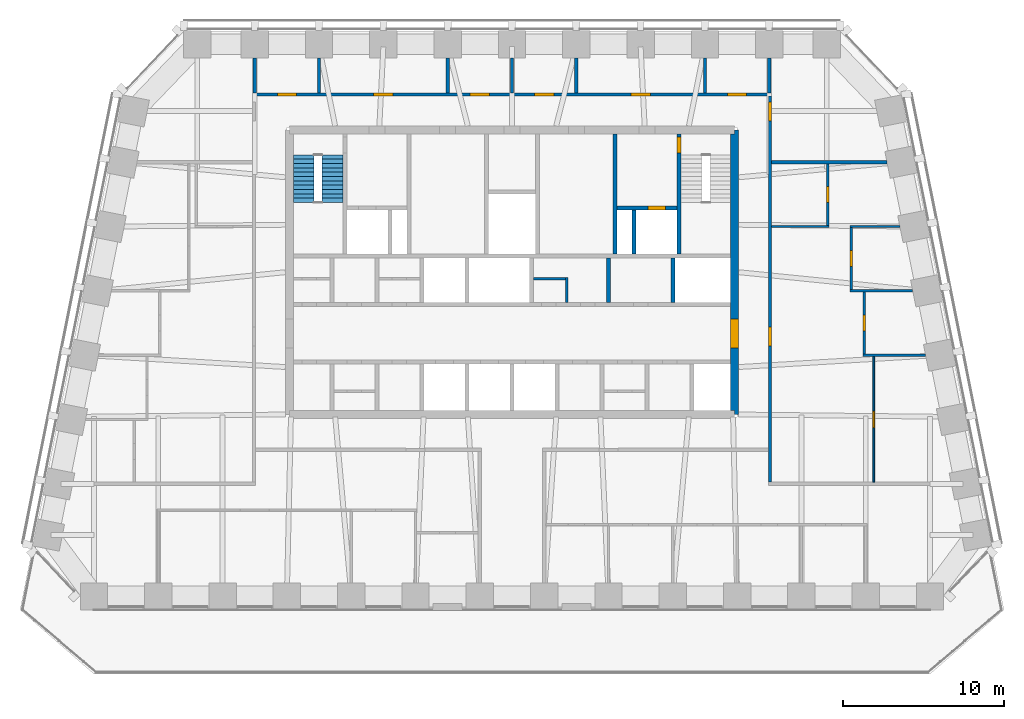
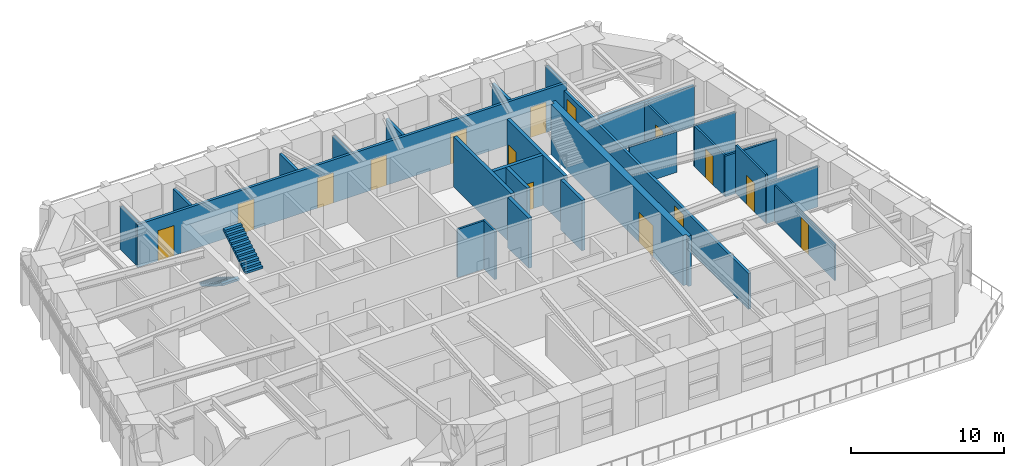
# One storey, part 7 of 11: 27 walls, 15 doors, 2 stair flights, 15 openings, 1 element without a shape of its own.
"""IFC4 building model written with IfcOpenShell, lengths in metres."""

from ifc_helpers import new_model, si_unit, direction, frame, frame_2d, origin, place, context, subcontext, project, spatial, polyline, rectangle, outline, extrude, material, layer, layer_set, type_object, element, fill, aggregate, save


model = new_model("IFC4")

# Units and contexts
model_context = context("Model", 3, precision=1e-05, world=origin(), true_north=direction((0.0, 1.0)))
body_context = subcontext(model_context, "Body", "Model", "MODEL_VIEW")
ifc_project = project(units=[si_unit("LENGTHUNIT", "METRE"), si_unit("AREAUNIT", "SQUARE_METRE"), si_unit("VOLUMEUNIT", "CUBIC_METRE"), si_unit("PLANEANGLEUNIT", "RADIAN"), si_unit("MASSUNIT", "GRAM", prefix="KILO")], contexts=[model_context])

# Site, building, storey
site_placement = place(None, origin())
site = spatial("IfcSite", under=ifc_project, at=site_placement, CompositionType="ELEMENT")
building_placement = place(site_placement, origin())
building = spatial("IfcBuilding", under=site, at=building_placement, Name="Isbrekke Arena Tower", CompositionType="ELEMENT")
storey_placement = place(building_placement, frame((0.0, 0.0, 284.0)))
storey = spatial("IfcBuildingStorey", under=building, at=storey_placement, Name="L66", CompositionType="ELEMENT", Elevation=284.0)

# Wall, opening, door
ifc_material_1 = material(Name="Concrete B55 (C55/67)", Category="concrete")
ifc_layer_1 = layer(ifc_material_1, 0.5)
ifc_layer_set_1 = layer_set([ifc_layer_1], Name="CW5 CORE WALL 500")
wall_type_1 = type_object("IfcWallType", Name="CW5 CORE WALL 500", PredefinedType="SHEAR", material=ifc_layer_set_1)
wall_1_placement = place(storey_placement, frame((13.85009765625, 6.14990234375, 0.0), z_axis=(0.0, 0.0, 1.0), x_axis=(0.0, 1.0, 0.0)))
wall_1 = element("IfcWall", 1, at=wall_1_placement, inside=storey, type_object=wall_type_1, Name="Core wall E L66", PredefinedType="SHEAR", context=body_context, shape_type="SweptSolid", body=[
    extrude(outline(polyline([(0.0, -0.25), (17.7001953125, -0.25), (17.7001953125, 0.0), (17.4501953125, 0.0), (17.4501953125, 0.25), (0.25, 0.25), (0.25, 0.0), (0.0, 0.0), (0.0, -0.25)])), origin(), (0.0, 0.0, 1.0), 4.0),
])
opening_1_placement = place(wall_1_placement, frame((4.14990234375, 0.0, 0.0)))
opening_1 = element("IfcOpeningElement", 2, at=opening_1_placement, cuts=wall_1, Name="Opening D1", PredefinedType="OPENING", context=body_context, shape_type="SweptSolid", body=[
    extrude(rectangle(XDim=1.800048828125, YDim=2.39990234375, at=frame_2d((0.89990234375, 1.199951171875))), frame((0.0, 0.264892578125, 0.0), z_axis=(0.0, -1.0, 0.0), x_axis=(1.0, 0.0, 0.0)), (0.0, 0.0, 1.0), 0.52978515625),
])
ifc_material_2 = material(Name="Steel-framed glazed fire door", Category="steel")
door_type_1 = type_object("IfcDoorType", Name="D1 CORE LOBBY DOOR 1800 x 2400", OperationType="DOUBLE_DOOR_SINGLE_SWING", PredefinedType="DOOR", material=ifc_material_2)
door_1_placement = place(opening_1_placement, origin())
door_1 = element("IfcDoor", 3, at=door_1_placement, inside=storey, type_object=door_type_1, Name="D1 lift lobby door east L66", OperationType="DOUBLE_DOOR_SINGLE_SWING", OverallHeight=2.39990234375, OverallWidth=1.800048828125, PredefinedType="DOOR", context=body_context, shape_type="SweptSolid", body=[
    extrude(rectangle(XDim=1.800048828125, YDim=2.39990234375, at=frame_2d((0.89990234375, 1.199951171875))), frame((0.0, 0.249755859375, 0.0), z_axis=(0.0, -1.0, 0.0), x_axis=(1.0, 0.0, 0.0)), (0.0, 0.0, 1.0), 0.49951171875),
])
fill(opening_1, door_1)

# Walls
ifc_material_3 = material(Name="Concrete B45 (C45/55)", Category="concrete")
ifc_layer_2 = layer(ifc_material_3, 0.25)
ifc_layer_set_2 = layer_set([ifc_layer_2], Name="CW6 SHAFT WALL 250")
wall_type_2 = type_object("IfcWallType", Name="CW6 SHAFT WALL 250", PredefinedType="SHEAR", material=ifc_layer_set_2)
for number, where, z_axis, x_axis, name in (
    (4, (6.0, 13.125, 0.0), (0.0, 0.0, 1.0), (0.0, 1.0, 0.0), "Core wall SN06 L66"),
    (5, (10.0, 13.125, 0.0), (0.0, 0.0, 1.0), (0.0, 1.0, 0.0), "Core wall SN07 L66"),
):
    element("IfcWall", number, at=place(storey_placement, frame(where, z_axis=z_axis, x_axis=x_axis)), inside=storey, type_object=wall_type_2, Name=name, PredefinedType="SHEAR", context=body_context, shape_type="SweptSolid", body=[
        extrude(rectangle(XDim=2.75, YDim=0.25, at=frame_2d((1.375, 0.0))), origin(), (0.0, 0.0, 1.0), 4.0),
    ])
wall_2_placement = place(storey_placement, frame((6.39990234375, 16.125, 0.0), z_axis=(0.0, 0.0, 1.0), x_axis=(0.0, 1.0, 0.0)))
element("IfcWall", 6, at=wall_2_placement, inside=storey, type_object=wall_type_2, Name="Core wall NV05 L66", PredefinedType="SHEAR", context=body_context, shape_type="SweptSolid", body=[
    extrude(rectangle(XDim=7.47509765625, YDim=0.25, at=frame_2d((3.737548828125, 0.0))), origin(), (0.0, 0.0, 1.0), 4.0),
])

# Wall, opening, door
wall_3_placement = place(storey_placement, frame((10.39990234375, 16.125, 0.0), z_axis=(0.0, 0.0, 1.0), x_axis=(0.0, 1.0, 0.0)))
wall_3 = element("IfcWall", 7, at=wall_3_placement, inside=storey, type_object=wall_type_2, Name="Core wall NV06 L66", PredefinedType="SHEAR", context=body_context, shape_type="SweptSolid", body=[
    extrude(rectangle(XDim=7.47509765625, YDim=0.25, at=frame_2d((3.737548828125, 0.0))), origin(), (0.0, 0.0, 1.0), 4.0),
])
opening_2_placement = place(wall_3_placement, frame((6.27490234375, 0.0, 0.0)))
opening_2 = element("IfcOpeningElement", 8, at=opening_2_placement, cuts=wall_3, Name="Opening D2", PredefinedType="OPENING", context=body_context, shape_type="SweptSolid", body=[
    extrude(rectangle(XDim=1.0, YDim=2.10009765625, at=frame_2d((0.5, 1.050048828125))), frame((0.0, 0.139892578125, 0.0), z_axis=(0.0, -1.0, 0.0), x_axis=(1.0, 0.0, 0.0)), (0.0, 0.0, 1.0), 0.27978515625),
])
ifc_material_4 = material(Name="Steel fire door", Category="steel")
door_type_2 = type_object("IfcDoorType", Name="D2 STAIR DOOR 1000 x 2100", OperationType="SINGLE_SWING_LEFT", PredefinedType="DOOR", material=ifc_material_4)
door_2_placement = place(opening_2_placement, origin())
door_2 = element("IfcDoor", 9, at=door_2_placement, inside=storey, type_object=door_type_2, Name="D2 stair door ST2 L66", OperationType="SINGLE_SWING_LEFT", OverallHeight=2.10009765625, OverallWidth=1.0, PredefinedType="DOOR", context=body_context, shape_type="SweptSolid", body=[
    extrude(rectangle(XDim=1.0, YDim=2.10009765625, at=frame_2d((0.5, 1.050048828125))), frame((0.0, 0.124755859375, 0.0), z_axis=(0.0, -1.0, 0.0), x_axis=(1.0, 0.0, 0.0)), (0.0, 0.0, 1.0), 0.24951171875),
])
fill(opening_2, door_2)

wall_4_placement = place(storey_placement, frame((6.52490234375, 19.0, 0.0), z_axis=(0.0, 0.0, 1.0), x_axis=(1.0, 0.0, 0.0)))
wall_4 = element("IfcWall", 10, at=wall_4_placement, inside=storey, type_object=wall_type_2, Name="Core wall NFE L66", PredefinedType="SHEAR", context=body_context, shape_type="SweptSolid", body=[
    extrude(rectangle(XDim=3.75, YDim=0.25, at=frame_2d((1.875, 0.0))), origin(), (0.0, 0.0, 1.0), 4.0),
])
opening_3_placement = place(wall_4_placement, frame((1.925048828125, 0.0, 0.0)))
opening_3 = element("IfcOpeningElement", 11, at=opening_3_placement, cuts=wall_4, Name="Opening LD2", PredefinedType="OPENING", context=body_context, shape_type="SweptSolid", body=[
    extrude(rectangle(XDim=1.10009765625, YDim=2.10009765625, at=frame_2d((0.550048828125, 1.050048828125))), frame((0.0, 0.139892578125, 0.0), z_axis=(0.0, -1.0, 0.0), x_axis=(1.0, 0.0, 0.0)), (0.0, 0.0, 1.0), 0.27978515625),
])
ifc_material_5 = material(Name="Stainless steel lift landing door", Category="steel")
door_type_3 = type_object("IfcDoorType", Name="LD2 FIRE-FIGHTING LIFT LANDING DOOR 1100 x 2100", OperationType="SLIDING_TO_RIGHT", PredefinedType="DOOR", material=ifc_material_5)
door_3_placement = place(opening_3_placement, origin())
door_3 = element("IfcDoor", 12, at=door_3_placement, inside=storey, type_object=door_type_3, Name="LD2 lift landing door LF L66", OperationType="SLIDING_TO_RIGHT", OverallHeight=2.10009765625, OverallWidth=1.10009765625, PredefinedType="DOOR", context=body_context, shape_type="SweptSolid", body=[
    extrude(rectangle(XDim=1.10009765625, YDim=2.10009765625, at=frame_2d((0.550048828125, 1.050048828125))), frame((0.0, 0.124755859375, 0.0), z_axis=(0.0, -1.0, 0.0), x_axis=(1.0, 0.0, 0.0)), (0.0, 0.0, 1.0), 0.24951171875),
])
fill(opening_3, door_3)

# Walls
wall_5_placement = place(storey_placement, frame((7.60009765625, 16.125, 0.0), z_axis=(0.0, 0.0, 1.0), x_axis=(0.0, 1.0, 0.0)))
element("IfcWall", 13, at=wall_5_placement, inside=storey, type_object=wall_type_2, Name="Core wall NFS2 L66", PredefinedType="SHEAR", context=body_context, shape_type="SweptSolid", body=[
    extrude(rectangle(XDim=2.75, YDim=0.25, at=frame_2d((1.375, 0.0))), origin(), (0.0, 0.0, 1.0), 4.0),
])
ifc_material_6 = material(Name="Gypsum board partition on steel studs", Category="steel")
ifc_layer_3 = layer(ifc_material_6, 0.14990234375)
ifc_layer_set_3 = layer_set([ifc_layer_3], Name="IW1 PARTITION 150")
wall_type_3 = type_object("IfcWallType", Name="IW1 PARTITION 150", PredefinedType="PARTITIONING", material=ifc_layer_set_3)
for number, where, z_axis, x_axis, name in (
    (14, (21.824951171875, 9.840087890625, 0.0), (0.0, 0.0, 1.0), (1.0, 0.0, 0.0), "IW1 partition 150 L66"),
    (15, (21.02490234375, 13.840087890625, 0.0), (0.0, 0.0, 1.0), (1.0, 0.0, 0.0), "IW1 partition 150 L66"),
):
    element("IfcWall", number, at=place(storey_placement, frame(where, z_axis=z_axis, x_axis=x_axis)), inside=storey, type_object=wall_type_3, Name=name, PredefinedType="PARTITIONING", context=body_context, shape_type="SweptSolid", body=[
        extrude(rectangle(XDim=3.89892578125, YDim=0.14990234375, at=frame_2d((1.949462890625, 0.0))), origin(), (0.0, 0.0, 1.0), 3.22998046875),
    ])
wall_6_placement = place(storey_placement, frame((16.14990234375, 17.840087890625, 0.0), z_axis=(0.0, 0.0, 1.0), x_axis=(1.0, 0.0, 0.0)))
element("IfcWall", 16, at=wall_6_placement, inside=storey, type_object=wall_type_3, Name="IW1 partition 150 L66", PredefinedType="PARTITIONING", context=body_context, shape_type="SweptSolid", body=[
    extrude(rectangle(XDim=3.5751953125, YDim=0.14990234375, at=frame_2d((1.78759765625, 0.0))), origin(), (0.0, 0.0, 1.0), 3.22998046875),
])
wall_7_placement = place(storey_placement, frame((21.02490234375, 17.840087890625, 0.0), z_axis=(0.0, 0.0, 1.0), x_axis=(1.0, 0.0, 0.0)))
element("IfcWall", 17, at=wall_7_placement, inside=storey, type_object=wall_type_3, Name="IW1 partition 150 L66", PredefinedType="PARTITIONING", context=body_context, shape_type="SweptSolid", body=[
    extrude(rectangle(XDim=3.098876953125, YDim=0.14990234375, at=frame_2d((1.54931640625, 0.0))), origin(), (0.0, 0.0, 1.0), 3.22998046875),
])

# Wall, opening, door
wall_8_placement = place(storey_placement, frame((19.64990234375, 17.9150390625, 0.0), z_axis=(0.0, 0.0, 1.0), x_axis=(0.0, 1.0, 0.0)))
wall_8 = element("IfcWall", 18, at=wall_8_placement, inside=storey, type_object=wall_type_3, Name="IW1 partition 150 L66", PredefinedType="PARTITIONING", context=body_context, shape_type="SweptSolid", body=[
    extrude(rectangle(XDim=3.824951171875, YDim=0.14990234375, at=frame_2d((1.91259765625, 0.0))), origin(), (0.0, 0.0, 1.0), 3.22998046875),
])
opening_4_placement = place(wall_8_placement, frame((1.425048828125, 0.0, 0.0)))
opening_4 = element("IfcOpeningElement", 19, at=opening_4_placement, cuts=wall_8, Name="Opening D10", PredefinedType="OPENING", context=body_context, shape_type="SweptSolid", body=[
    extrude(rectangle(XDim=1.0, YDim=2.300048828125, at=frame_2d((0.5, 1.14990234375))), frame((0.0, 0.08984375, 0.0), z_axis=(0.0, -1.0, 0.0), x_axis=(1.0, 0.0, 0.0)), (0.0, 0.0, 1.0), 0.1796875),
])
ifc_material_7 = material(Name="Timber door", Category="wood")
door_type_4 = type_object("IfcDoorType", Name="D10 OFFICE DOOR 1000 x 2300", OperationType="SINGLE_SWING_LEFT", PredefinedType="DOOR", material=ifc_material_7)
door_4_placement = place(opening_4_placement, origin())
door_4 = element("IfcDoor", 20, at=door_4_placement, inside=storey, type_object=door_type_4, Name="D10 tea point door L66", OperationType="SINGLE_SWING_LEFT", OverallHeight=2.300048828125, OverallWidth=1.0, PredefinedType="DOOR", context=body_context, shape_type="SweptSolid", body=[
    extrude(rectangle(XDim=1.0, YDim=2.300048828125, at=frame_2d((0.5, 1.14990234375))), frame((0.0, 0.07470703125, 0.0), z_axis=(0.0, -1.0, 0.0), x_axis=(1.0, 0.0, 0.0)), (0.0, 0.0, 1.0), 0.1494140625),
])
fill(opening_4, door_4)

wall_9_placement = place(storey_placement, frame((21.10009765625, 13.9150390625, 0.0), z_axis=(0.0, 0.0, 1.0), x_axis=(0.0, 1.0, 0.0)))
wall_9 = element("IfcWall", 21, at=wall_9_placement, inside=storey, type_object=wall_type_3, Name="IW1 partition 150 L66", PredefinedType="PARTITIONING", context=body_context, shape_type="SweptSolid", body=[
    extrude(rectangle(XDim=3.849853515625, YDim=0.14990234375, at=frame_2d((1.9248046875, 0.0))), origin(), (0.0, 0.0, 1.0), 3.22998046875),
])
opening_5_placement = place(wall_9_placement, frame((1.425048828125, 0.0, 0.0)))
opening_5 = element("IfcOpeningElement", 22, at=opening_5_placement, cuts=wall_9, Name="Opening D10", PredefinedType="OPENING", context=body_context, shape_type="SweptSolid", body=[
    extrude(rectangle(XDim=1.0, YDim=2.300048828125, at=frame_2d((0.5, 1.14990234375))), frame((0.0, 0.08984375, 0.0), z_axis=(0.0, -1.0, 0.0), x_axis=(1.0, 0.0, 0.0)), (0.0, 0.0, 1.0), 0.1796875),
])
door_5_placement = place(opening_5_placement, origin())
door_5 = element("IfcDoor", 23, at=door_5_placement, inside=storey, type_object=door_type_4, Name="D10 office door L66", OperationType="SINGLE_SWING_LEFT", OverallHeight=2.300048828125, OverallWidth=1.0, PredefinedType="DOOR", context=body_context, shape_type="SweptSolid", body=[
    extrude(rectangle(XDim=1.0, YDim=2.300048828125, at=frame_2d((0.5, 1.14990234375))), frame((0.0, 0.07470703125, 0.0), z_axis=(0.0, -1.0, 0.0), x_axis=(1.0, 0.0, 0.0)), (0.0, 0.0, 1.0), 0.1494140625),
])
fill(opening_5, door_5)

wall_10_placement = place(storey_placement, frame((21.89990234375, 9.9150390625, 0.0), z_axis=(0.0, 0.0, 1.0), x_axis=(0.0, 1.0, 0.0)))
wall_10 = element("IfcWall", 24, at=wall_10_placement, inside=storey, type_object=wall_type_3, Name="IW1 partition 150 L66", PredefinedType="PARTITIONING", context=body_context, shape_type="SweptSolid", body=[
    extrude(rectangle(XDim=3.849853515625, YDim=0.14990234375, at=frame_2d((1.9248046875, 0.0))), origin(), (0.0, 0.0, 1.0), 3.85009765625),
])
opening_6_placement = place(wall_10_placement, frame((1.425048828125, 0.0, 0.0)))
opening_6 = element("IfcOpeningElement", 25, at=opening_6_placement, cuts=wall_10, Name="Opening D10", PredefinedType="OPENING", context=body_context, shape_type="SweptSolid", body=[
    extrude(rectangle(XDim=1.0, YDim=2.300048828125, at=frame_2d((0.5, 1.14990234375))), frame((0.0, 0.08984375, 0.0), z_axis=(0.0, -1.0, 0.0), x_axis=(1.0, 0.0, 0.0)), (0.0, 0.0, 1.0), 0.1796875),
])
door_6_placement = place(opening_6_placement, origin())
door_6 = element("IfcDoor", 26, at=door_6_placement, inside=storey, type_object=door_type_4, Name="D10 office door L66", OperationType="SINGLE_SWING_LEFT", OverallHeight=2.300048828125, OverallWidth=1.0, PredefinedType="DOOR", context=body_context, shape_type="SweptSolid", body=[
    extrude(rectangle(XDim=1.0, YDim=2.300048828125, at=frame_2d((0.5, 1.14990234375))), frame((0.0, 0.07470703125, 0.0), z_axis=(0.0, -1.0, 0.0), x_axis=(1.0, 0.0, 0.0)), (0.0, 0.0, 1.0), 0.1494140625),
])
fill(opening_6, door_6)

ifc_material_8 = material(Name="Frameless glazed partition, laminated acoustic glass", Category="glass")
ifc_layer_4 = layer(ifc_material_8, 0.1201171875)
ifc_layer_set_4 = layer_set([ifc_layer_4], Name="IW2 GLAZED PARTITION 120")
wall_type_4 = type_object("IfcWallType", Name="IW2 GLAZED PARTITION 120", PredefinedType="PARTITIONING", material=ifc_layer_set_4)
wall_11_placement = place(storey_placement, frame((22.5, 1.93994140625, 0.0), z_axis=(0.0, 0.0, 1.0), x_axis=(0.0, 1.0, 0.0)))
wall_11 = element("IfcWall", 27, at=wall_11_placement, inside=storey, type_object=wall_type_4, Name="IW2 glazed partition 120 L66", PredefinedType="PARTITIONING", context=body_context, shape_type="SweptSolid", body=[
    extrude(rectangle(XDim=7.824951171875, YDim=0.1201171875, at=frame_2d((3.91259765625, 0.0))), origin(), (0.0, 0.0, 1.0), 2.842041015625),
])
opening_7_placement = place(wall_11_placement, frame((3.39990234375, 0.0, 0.0)))
opening_7 = element("IfcOpeningElement", 28, at=opening_7_placement, cuts=wall_11, Name="Opening D11", PredefinedType="OPENING", context=body_context, shape_type="SweptSolid", body=[
    extrude(rectangle(XDim=1.0, YDim=2.39990234375, at=frame_2d((0.5, 1.199951171875))), frame((0.0, 0.074951171875, 0.0), z_axis=(0.0, -1.0, 0.0), x_axis=(1.0, 0.0, 0.0)), (0.0, 0.0, 1.0), 0.14990234375),
])
ifc_material_9 = material(Name="Frameless glazed door", Category="glass")
door_type_5 = type_object("IfcDoorType", Name="D11 GLAZED MEETING ROOM DOOR 1000 x 2400", OperationType="SINGLE_SWING_RIGHT", PredefinedType="DOOR", material=ifc_material_9)
door_7_placement = place(opening_7_placement, origin())
door_7 = element("IfcDoor", 29, at=door_7_placement, inside=storey, type_object=door_type_5, Name="D11 project room door L66", OperationType="SINGLE_SWING_RIGHT", OverallHeight=2.39990234375, OverallWidth=1.0, PredefinedType="DOOR", context=body_context, shape_type="SweptSolid", body=[
    extrude(rectangle(XDim=1.0, YDim=2.39990234375, at=frame_2d((0.5, 1.199951171875))), frame((0.0, 0.059814453125, 0.0), z_axis=(0.0, -1.0, 0.0), x_axis=(1.0, 0.0, 0.0)), (0.0, 0.0, 1.0), 0.11962890625),
])
fill(opening_7, door_7)

# Wall
ifc_material_10 = material(Name="Gypsum board fire-cell wall on steel studs, two layers each side", Category="steel")
ifc_layer_5 = layer(ifc_material_10, 0.199951171875)
ifc_layer_set_5 = layer_set([ifc_layer_5], Name="IW3 FIRE-CELL WALL 200")
wall_type_5 = type_object("IfcWallType", Name="IW3 FIRE-CELL WALL 200", PredefinedType="PARTITIONING", material=ifc_layer_set_5)
wall_12_placement = place(storey_placement, frame((16.14990234375, 21.840087890625, 0.0), z_axis=(0.0, 0.0, 1.0), x_axis=(1.0, 0.0, 0.0)))
element("IfcWall", 30, at=wall_12_placement, inside=storey, type_object=wall_type_5, Name="IW3 fire-cell wall 200 L66", PredefinedType="PARTITIONING", context=body_context, shape_type="SweptSolid", body=[
    extrude(rectangle(XDim=7.173828125, YDim=0.199951171875, at=frame_2d((3.5869140625, 0.0))), origin(), (0.0, 0.0, 1.0), 3.22998046875),
])

# Wall, openings, doors
wall_13_placement = place(storey_placement, frame((-16.14990234375, 26.050048828125, 0.0), z_axis=(0.0, 0.0, 1.0), x_axis=(1.0, 0.0, 0.0)))
wall_13 = element("IfcWall", 31, at=wall_13_placement, inside=storey, type_object=wall_type_5, Name="IW3 fire-cell wall 200 L66", PredefinedType="PARTITIONING", context=body_context, shape_type="SweptSolid", body=[
    extrude(rectangle(XDim=32.2998046875, YDim=0.199951171875, at=frame_2d((16.14990234375, 0.0))), origin(), (0.0, 0.0, 1.0), 3.41796875),
])
opening_8_placement = place(wall_13_placement, frame((1.550048828125, 0.0, 0.0)))
opening_8 = element("IfcOpeningElement", 32, at=opening_8_placement, cuts=wall_13, Name="Opening D12", PredefinedType="OPENING", context=body_context, shape_type="SweptSolid", body=[
    extrude(rectangle(XDim=1.199951171875, YDim=2.39990234375, at=frame_2d((0.60009765625, 1.199951171875))), frame((0.0, 0.11474609375, 0.0), z_axis=(0.0, -1.0, 0.0), x_axis=(1.0, 0.0, 0.0)), (0.0, 0.0, 1.0), 0.229736328125),
])
opening_9_placement = place(wall_13_placement, frame((7.550048828125, 0.0, 0.0)))
opening_9 = element("IfcOpeningElement", 33, at=opening_9_placement, cuts=wall_13, Name="Opening D12", PredefinedType="OPENING", context=body_context, shape_type="SweptSolid", body=[
    extrude(rectangle(XDim=1.199951171875, YDim=2.39990234375, at=frame_2d((0.60009765625, 1.199951171875))), frame((0.0, 0.11474609375, 0.0), z_axis=(0.0, -1.0, 0.0), x_axis=(1.0, 0.0, 0.0)), (0.0, 0.0, 1.0), 0.229736328125),
])
opening_10_placement = place(wall_13_placement, frame((13.550048828125, 0.0, 0.0)))
opening_10 = element("IfcOpeningElement", 34, at=opening_10_placement, cuts=wall_13, Name="Opening D12", PredefinedType="OPENING", context=body_context, shape_type="SweptSolid", body=[
    extrude(rectangle(XDim=1.199951171875, YDim=2.39990234375, at=frame_2d((0.60009765625, 1.199951171875))), frame((0.0, 0.11474609375, 0.0), z_axis=(0.0, -1.0, 0.0), x_axis=(1.0, 0.0, 0.0)), (0.0, 0.0, 1.0), 0.229736328125),
])
opening_11_placement = place(wall_13_placement, frame((17.550048828125, 0.0, 0.0)))
opening_11 = element("IfcOpeningElement", 35, at=opening_11_placement, cuts=wall_13, Name="Opening D12", PredefinedType="OPENING", context=body_context, shape_type="SweptSolid", body=[
    extrude(rectangle(XDim=1.199951171875, YDim=2.39990234375, at=frame_2d((0.60009765625, 1.199951171875))), frame((0.0, 0.11474609375, 0.0), z_axis=(0.0, -1.0, 0.0), x_axis=(1.0, 0.0, 0.0)), (0.0, 0.0, 1.0), 0.229736328125),
])
opening_12_placement = place(wall_13_placement, frame((23.550048828125, 0.0, 0.0)))
opening_12 = element("IfcOpeningElement", 36, at=opening_12_placement, cuts=wall_13, Name="Opening D12", PredefinedType="OPENING", context=body_context, shape_type="SweptSolid", body=[
    extrude(rectangle(XDim=1.199951171875, YDim=2.39990234375, at=frame_2d((0.60009765625, 1.199951171875))), frame((0.0, 0.11474609375, 0.0), z_axis=(0.0, -1.0, 0.0), x_axis=(1.0, 0.0, 0.0)), (0.0, 0.0, 1.0), 0.229736328125),
])
opening_13_placement = place(wall_13_placement, frame((29.550048828125, 0.0, 0.0)))
opening_13 = element("IfcOpeningElement", 37, at=opening_13_placement, cuts=wall_13, Name="Opening D12", PredefinedType="OPENING", context=body_context, shape_type="SweptSolid", body=[
    extrude(rectangle(XDim=1.199951171875, YDim=2.39990234375, at=frame_2d((0.60009765625, 1.199951171875))), frame((0.0, 0.11474609375, 0.0), z_axis=(0.0, -1.0, 0.0), x_axis=(1.0, 0.0, 0.0)), (0.0, 0.0, 1.0), 0.229736328125),
])
ifc_material_11 = material(Name="Timber fire door with vision panel", Category="wood")
door_type_6 = type_object("IfcDoorType", Name="D12 SUITE ENTRANCE DOOR 1200 x 2400", OperationType="SINGLE_SWING_LEFT", PredefinedType="DOOR", material=ifc_material_11)
door_8_placement = place(opening_8_placement, origin())
door_8 = element("IfcDoor", 38, at=door_8_placement, inside=storey, type_object=door_type_6, Name="D12 suite entrance NB1 door L66", OperationType="SINGLE_SWING_LEFT", OverallHeight=2.39990234375, OverallWidth=1.199951171875, PredefinedType="DOOR", context=body_context, shape_type="SweptSolid", body=[
    extrude(rectangle(XDim=1.199951171875, YDim=2.39990234375, at=frame_2d((0.60009765625, 1.199951171875))), frame((0.0, 0.099609375, 0.0), z_axis=(0.0, -1.0, 0.0), x_axis=(1.0, 0.0, 0.0)), (0.0, 0.0, 1.0), 0.199462890625),
])
fill(opening_8, door_8)
door_9_placement = place(opening_9_placement, origin())
door_9 = element("IfcDoor", 39, at=door_9_placement, inside=storey, type_object=door_type_6, Name="D12 suite entrance NB2 door L66", OperationType="SINGLE_SWING_LEFT", OverallHeight=2.39990234375, OverallWidth=1.199951171875, PredefinedType="DOOR", context=body_context, shape_type="SweptSolid", body=[
    extrude(rectangle(XDim=1.199951171875, YDim=2.39990234375, at=frame_2d((0.60009765625, 1.199951171875))), frame((0.0, 0.099609375, 0.0), z_axis=(0.0, -1.0, 0.0), x_axis=(1.0, 0.0, 0.0)), (0.0, 0.0, 1.0), 0.199462890625),
])
fill(opening_9, door_9)
door_10_placement = place(opening_10_placement, origin())
door_10 = element("IfcDoor", 40, at=door_10_placement, inside=storey, type_object=door_type_6, Name="D12 suite entrance NB3 door L66", OperationType="SINGLE_SWING_LEFT", OverallHeight=2.39990234375, OverallWidth=1.199951171875, PredefinedType="DOOR", context=body_context, shape_type="SweptSolid", body=[
    extrude(rectangle(XDim=1.199951171875, YDim=2.39990234375, at=frame_2d((0.60009765625, 1.199951171875))), frame((0.0, 0.099609375, 0.0), z_axis=(0.0, -1.0, 0.0), x_axis=(1.0, 0.0, 0.0)), (0.0, 0.0, 1.0), 0.199462890625),
])
fill(opening_10, door_10)
door_11_placement = place(opening_11_placement, origin())
door_11 = element("IfcDoor", 41, at=door_11_placement, inside=storey, type_object=door_type_6, Name="D12 suite entrance NB4 door L66", OperationType="SINGLE_SWING_LEFT", OverallHeight=2.39990234375, OverallWidth=1.199951171875, PredefinedType="DOOR", context=body_context, shape_type="SweptSolid", body=[
    extrude(rectangle(XDim=1.199951171875, YDim=2.39990234375, at=frame_2d((0.60009765625, 1.199951171875))), frame((0.0, 0.099609375, 0.0), z_axis=(0.0, -1.0, 0.0), x_axis=(1.0, 0.0, 0.0)), (0.0, 0.0, 1.0), 0.199462890625),
])
fill(opening_11, door_11)
door_12_placement = place(opening_12_placement, origin())
door_12 = element("IfcDoor", 42, at=door_12_placement, inside=storey, type_object=door_type_6, Name="D12 suite entrance NB5 door L66", OperationType="SINGLE_SWING_LEFT", OverallHeight=2.39990234375, OverallWidth=1.199951171875, PredefinedType="DOOR", context=body_context, shape_type="SweptSolid", body=[
    extrude(rectangle(XDim=1.199951171875, YDim=2.39990234375, at=frame_2d((0.60009765625, 1.199951171875))), frame((0.0, 0.099609375, 0.0), z_axis=(0.0, -1.0, 0.0), x_axis=(1.0, 0.0, 0.0)), (0.0, 0.0, 1.0), 0.199462890625),
])
fill(opening_12, door_12)
door_13_placement = place(opening_13_placement, origin())
door_13 = element("IfcDoor", 43, at=door_13_placement, inside=storey, type_object=door_type_6, Name="D12 suite entrance NB6 door L66", OperationType="SINGLE_SWING_LEFT", OverallHeight=2.39990234375, OverallWidth=1.199951171875, PredefinedType="DOOR", context=body_context, shape_type="SweptSolid", body=[
    extrude(rectangle(XDim=1.199951171875, YDim=2.39990234375, at=frame_2d((0.60009765625, 1.199951171875))), frame((0.0, 0.099609375, 0.0), z_axis=(0.0, -1.0, 0.0), x_axis=(1.0, 0.0, 0.0)), (0.0, 0.0, 1.0), 0.199462890625),
])
fill(opening_13, door_13)

# Walls
for number, where, z_axis, x_axis, name in (
    (44, (-16.0, 26.14990234375, 0.0), (0.0, 0.0, 1.0), (0.0, 1.0, 0.0), "IW3 fire-cell wall 200 L66"),
    (45, (-12.0, 26.14990234375, 0.0), (0.0, 0.0, 1.0), (0.0, 1.0, 0.0), "IW3 fire-cell wall 200 L66"),
    (46, (-4.0, 26.14990234375, 0.0), (0.0, 0.0, 1.0), (0.0, 1.0, 0.0), "IW3 fire-cell wall 200 L66"),
    (47, (0.0, 26.14990234375, 0.0), (0.0, 0.0, 1.0), (0.0, 1.0, 0.0), "IW3 fire-cell wall 200 L66"),
    (48, (4.0, 26.14990234375, 0.0), (0.0, 0.0, 1.0), (0.0, 1.0, 0.0), "IW3 fire-cell wall 200 L66"),
    (49, (12.0, 26.14990234375, 0.0), (0.0, 0.0, 1.0), (0.0, 1.0, 0.0), "IW3 fire-cell wall 200 L66"),
    (50, (16.0, 26.14990234375, 0.0), (0.0, 0.0, 1.0), (0.0, 1.0, 0.0), "IW3 fire-cell wall 200 L66"),
):
    element("IfcWall", number, at=place(storey_placement, frame(where, z_axis=z_axis, x_axis=x_axis)), inside=storey, type_object=wall_type_5, Name=name, PredefinedType="PARTITIONING", context=body_context, shape_type="SweptSolid", body=[
        extrude(rectangle(XDim=2.175048828125, YDim=0.199951171875, at=frame_2d((1.08740234375, 0.0))), origin(), (0.0, 0.0, 1.0), 3.41796875),
    ])

# Wall, openings, doors
wall_14_placement = place(storey_placement, frame((16.050048828125, 1.93994140625, 0.0), z_axis=(0.0, 0.0, 1.0), x_axis=(0.0, 1.0, 0.0)))
wall_14 = element("IfcWall", 51, at=wall_14_placement, inside=storey, type_object=wall_type_5, Name="IW3 fire-cell wall 200 L66", PredefinedType="PARTITIONING", context=body_context, shape_type="SweptSolid", body=[
    extrude(rectangle(XDim=24.010009765625, YDim=0.199951171875, at=frame_2d((12.0048828125, 0.0))), origin(), (0.0, 0.0, 1.0), 2.842041015625),
])
opening_14_placement = place(wall_14_placement, frame((8.4599609375, 0.0, 0.0)))
opening_14 = element("IfcOpeningElement", 52, at=opening_14_placement, cuts=wall_14, Name="Opening D12", PredefinedType="OPENING", context=body_context, shape_type="SweptSolid", body=[
    extrude(rectangle(XDim=1.199951171875, YDim=2.39990234375, at=frame_2d((0.60009765625, 1.199951171875))), frame((0.0, 0.11474609375, 0.0), z_axis=(0.0, -1.0, 0.0), x_axis=(1.0, 0.0, 0.0)), (0.0, 0.0, 1.0), 0.229736328125),
])
opening_15_placement = place(wall_14_placement, frame((22.4599609375, 0.0, 0.0)))
opening_15 = element("IfcOpeningElement", 53, at=opening_15_placement, cuts=wall_14, Name="Opening D12", PredefinedType="OPENING", context=body_context, shape_type="SweptSolid", body=[
    extrude(rectangle(XDim=1.199951171875, YDim=2.39990234375, at=frame_2d((0.60009765625, 1.199951171875))), frame((0.0, 0.11474609375, 0.0), z_axis=(0.0, -1.0, 0.0), x_axis=(1.0, 0.0, 0.0)), (0.0, 0.0, 1.0), 0.229736328125),
])
door_14_placement = place(opening_14_placement, origin())
door_14 = element("IfcDoor", 54, at=door_14_placement, inside=storey, type_object=door_type_6, Name="D12 suite entrance E door L66", OperationType="SINGLE_SWING_LEFT", OverallHeight=2.39990234375, OverallWidth=1.199951171875, PredefinedType="DOOR", context=body_context, shape_type="SweptSolid", body=[
    extrude(rectangle(XDim=1.199951171875, YDim=2.39990234375, at=frame_2d((0.60009765625, 1.199951171875))), frame((0.0, 0.099609375, 0.0), z_axis=(0.0, -1.0, 0.0), x_axis=(1.0, 0.0, 0.0)), (0.0, 0.0, 1.0), 0.199462890625),
])
fill(opening_14, door_14)
door_15_placement = place(opening_15_placement, origin())
door_15 = element("IfcDoor", 55, at=door_15_placement, inside=storey, type_object=door_type_6, Name="D12 suite entrance NCE door L66", OperationType="SINGLE_SWING_LEFT", OverallHeight=2.39990234375, OverallWidth=1.199951171875, PredefinedType="DOOR", context=body_context, shape_type="SweptSolid", body=[
    extrude(rectangle(XDim=1.199951171875, YDim=2.39990234375, at=frame_2d((0.60009765625, 1.199951171875))), frame((0.0, 0.099609375, 0.0), z_axis=(0.0, -1.0, 0.0), x_axis=(1.0, 0.0, 0.0)), (0.0, 0.0, 1.0), 0.199462890625),
])
fill(opening_15, door_15)

# Walls
ifc_material_12 = material(Name="Gypsum board fire-rated partition on steel studs, two layers each side", Category="steel")
ifc_layer_6 = layer(ifc_material_12, 0.14990234375)
ifc_layer_set_6 = layer_set([ifc_layer_6], Name="IW5 FIRE-RATED PARTITION 150")
wall_type_6 = type_object("IfcWallType", Name="IW5 FIRE-RATED PARTITION 150", PredefinedType="PARTITIONING", material=ifc_layer_set_6)
wall_15_placement = place(storey_placement, frame((3.39990234375, 13.125, 0.0), z_axis=(0.0, 0.0, 1.0), x_axis=(0.0, 1.0, 0.0)))
element("IfcWall", 56, at=wall_15_placement, inside=storey, type_object=wall_type_6, Name="IW5 fire-rated partition L66 core service rooms 1", PredefinedType="PARTITIONING", context=body_context, shape_type="SweptSolid", body=[
    extrude(rectangle(XDim=1.550048828125, YDim=0.14990234375, at=frame_2d((0.77490234375, 0.0))), origin(), (0.0, 0.0, 1.0), 3.85009765625),
])
wall_16_placement = place(storey_placement, frame((1.324951171875, 14.60009765625, 0.0), z_axis=(0.0, 0.0, 1.0), x_axis=(1.0, 0.0, 0.0)))
element("IfcWall", 57, at=wall_16_placement, inside=storey, type_object=wall_type_6, Name="IW5 fire-rated partition L66 core service rooms 2", PredefinedType="PARTITIONING", context=body_context, shape_type="SweptSolid", body=[
    extrude(rectangle(XDim=2.0, YDim=0.14990234375, at=frame_2d((1.0, 0.0))), origin(), (0.0, 0.0, 1.0), 3.85009765625),
])

# Stair, stair flights
ifc_material_13 = material(Name="Concrete B45 (C45/55) precast", Category="concrete")
stair_type = type_object("IfcStairType", Name="ST40 STAIR 1300 WIDE, 24 RISERS 167", PredefinedType="HALF_TURN_STAIR", material=ifc_material_13)
stair_placement = place(storey_placement, origin())
stair = element("IfcStair", 58, at=stair_placement, inside=storey, type_object=stair_type, Name="ST1 stair L66", PredefinedType="HALF_TURN_STAIR")
ifc_material_14 = material(Name="Concrete B45 (C45/55) precast", Category="concrete")
stair_flight_type = type_object("IfcStairFlightType", Name="SF 1300 FLIGHT", PredefinedType="STRAIGHT", material=ifc_material_14)
stair_flight_1_placement = place(storey_placement, frame((-12.949951171875, 22.300048828125, 0.0), z_axis=(0.0, 0.0, 1.0), x_axis=(0.0, -1.0, 0.0)))
stair_flight_1 = element("IfcStairFlight", 59, at=stair_flight_1_placement, type_object=stair_flight_type, Name="ST1 flight 1", NumberOfRisers=12, NumberOfTreads=11, PredefinedType="STRAIGHT", RiserHeight=0.166666667, TreadLength=0.27, context=body_context, shape_type="SweptSolid", body=[
    extrude(outline(polyline([(0.0, 0.0), (0.0, 0.166748046875), (0.27001953125, 0.166748046875), (0.27001953125, 0.333251953125), (0.5400390625, 0.333251953125), (0.5400390625, 0.5), (0.81005859375, 0.5), (0.81005859375, 0.666748046875), (1.080078125, 0.666748046875), (1.080078125, 0.833251953125), (1.35009765625, 0.833251953125), (1.35009765625, 1.0), (1.6201171875, 1.0), (1.6201171875, 1.166748046875), (1.889892578125, 1.166748046875), (1.889892578125, 1.333251953125), (2.159912109375, 1.333251953125), (2.159912109375, 1.5), (2.429931640625, 1.5), (2.429931640625, 1.666748046875), (2.699951171875, 1.666748046875), (2.699951171875, 1.833251953125), (2.969970703125, 1.833251953125), (2.969970703125, 2.0), (2.969970703125, 1.6572265625), (0.285400390625, 0.0), (0.0, 0.0)])), frame((0.0, 0.64990234375, 0.0), z_axis=(0.0, -1.0, 0.0), x_axis=(1.0, 0.0, 0.0)), (0.0, 0.0, 1.0), 1.300048828125),
])
stair_flight_2_placement = place(storey_placement, frame((-11.175048828125, 19.330078125, 2.0), z_axis=(0.0, 0.0, 1.0), x_axis=(0.0, 1.0, 0.0)))
stair_flight_2 = element("IfcStairFlight", 60, at=stair_flight_2_placement, type_object=stair_flight_type, Name="ST1 flight 2", NumberOfRisers=12, NumberOfTreads=11, PredefinedType="STRAIGHT", RiserHeight=0.166666667, TreadLength=0.27, context=body_context, shape_type="SweptSolid", body=[
    extrude(outline(polyline([(0.0, 0.0), (0.0, 0.166748046875), (0.27001953125, 0.166748046875), (0.27001953125, 0.333251953125), (0.5400390625, 0.333251953125), (0.5400390625, 0.5), (0.81005859375, 0.5), (0.81005859375, 0.666748046875), (1.080078125, 0.666748046875), (1.080078125, 0.833251953125), (1.35009765625, 0.833251953125), (1.35009765625, 1.0), (1.6201171875, 1.0), (1.6201171875, 1.166748046875), (1.889892578125, 1.166748046875), (1.889892578125, 1.333251953125), (2.159912109375, 1.333251953125), (2.159912109375, 1.5), (2.429931640625, 1.5), (2.429931640625, 1.666748046875), (2.699951171875, 1.666748046875), (2.699951171875, 1.833251953125), (2.969970703125, 1.833251953125), (2.969970703125, 2.0), (2.969970703125, 1.6572265625), (0.285400390625, 0.0), (0.0, 0.0)])), frame((0.0, 0.64990234375, 0.0), z_axis=(0.0, -1.0, 0.0), x_axis=(1.0, 0.0, 0.0)), (0.0, 0.0, 1.0), 1.300048828125),
])
aggregate(stair, [stair_flight_1, stair_flight_2])

save(model, "model.ifc")
